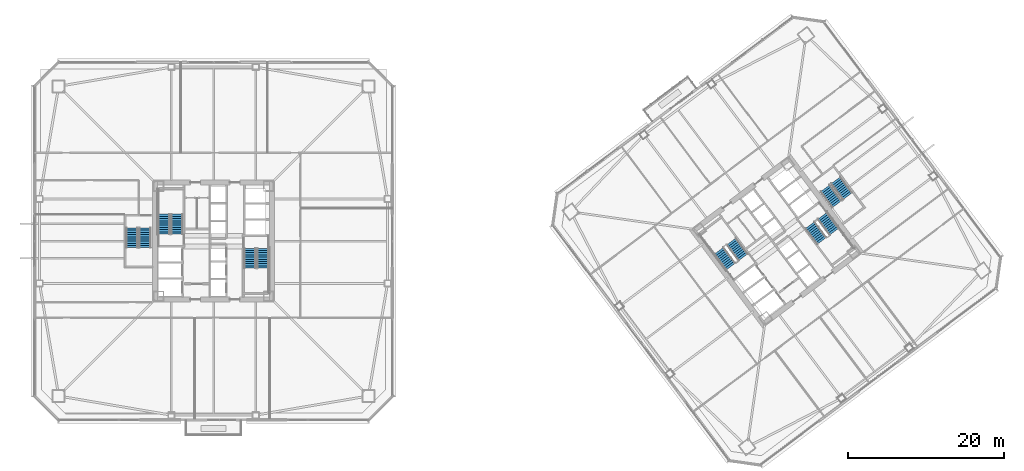
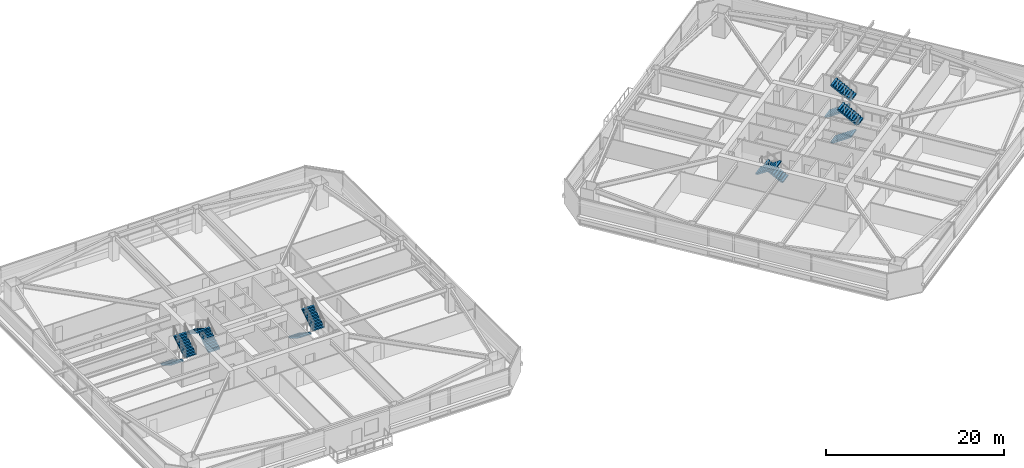
# One storey, part 38 of 46: 12 stair flights, 6 elements without a shape of their own.
"""IFC4 building model written with IfcOpenShell, lengths in metres."""

from ifc_helpers import new_model, si_unit, direction, frame, origin, place, context, subcontext, project, spatial, polyline, outline, extrude, material, type_object, element, aggregate, save


model = new_model("IFC4")

# Units and contexts
model_context = context("Model", 3, precision=1e-05, world=origin(), true_north=direction((0.0, 1.0)))
body_context = subcontext(model_context, "Body", "Model", "MODEL_VIEW")
ifc_project = project(units=[si_unit("LENGTHUNIT", "METRE"), si_unit("AREAUNIT", "SQUARE_METRE"), si_unit("VOLUMEUNIT", "CUBIC_METRE"), si_unit("PLANEANGLEUNIT", "RADIAN"), si_unit("MASSUNIT", "GRAM", prefix="KILO")], contexts=[model_context])

# Site, building, storey
site_placement = place(None, origin())
site = spatial("IfcSite", under=ifc_project, at=site_placement, CompositionType="ELEMENT")
building_placement = place(site_placement, origin())
building = spatial("IfcBuilding", under=site, at=building_placement, Name="Tashvorn Skyway Center", CompositionType="ELEMENT")
storey_placement = place(building_placement, frame((0.0, 0.0, 38.800048828125)))
storey = spatial("IfcBuildingStorey", under=building, at=storey_placement, Name="L09", CompositionType="ELEMENT", Elevation=38.800048828125)

# Stair, stair flights
ifc_material = material(Name="Concrete C40/50", Category="concrete")
stair_type = type_object("IfcStairType", Name="STAIR-CORE-1500", PredefinedType="HALF_TURN_STAIR", material=ifc_material)
stair_1_placement = place(storey_placement, origin())
stair_1 = element("IfcStair", 1, at=stair_1_placement, inside=storey, type_object=stair_type, Name="L09 Tower 1 Exit Stair 1", PredefinedType="HALF_TURN_STAIR")
stair_flight_type = type_object("IfcStairFlightType", Name="SFLIGHT-1500", PredefinedType="STRAIGHT", material=ifc_material)
stair_flight_1_placement = place(storey_placement, frame((37.35009765625, 32.919921875, 0.0), z_axis=(0.0, 0.0, 1.0), x_axis=(0.0, 1.0, 0.0)))
stair_flight_1 = element("IfcStairFlight", 2, at=stair_flight_1_placement, type_object=stair_flight_type, Name="ST-T1-1 flight 1", NumberOfRisers=10, NumberOfTreads=9, PredefinedType="STRAIGHT", RiserHeight=0.1775, TreadLength=0.28, context=body_context, shape_type="SweptSolid", body=[
    extrude(outline(polyline([(0.0, 0.0), (0.0, 0.177490234375), (0.280029296875, 0.177490234375), (0.280029296875, 0.35498046875), (0.56005859375, 0.35498046875), (0.56005859375, 0.532470703125), (0.840087890625, 0.532470703125), (0.840087890625, 0.7099609375), (1.1201171875, 0.7099609375), (1.1201171875, 0.887451171875), (1.39990234375, 0.887451171875), (1.39990234375, 1.06494140625), (1.679931640625, 1.06494140625), (1.679931640625, 1.242431640625), (1.9599609375, 1.242431640625), (1.9599609375, 1.419921875), (2.239990234375, 1.419921875), (2.239990234375, 1.597412109375), (2.52001953125, 1.597412109375), (2.52001953125, 1.77490234375), (2.52001953125, 1.419921875), (0.280029296875, 0.0), (0.0, 0.0)])), frame((0.0, 0.75, 0.0), z_axis=(0.0, -1.0, 0.0), x_axis=(1.0, 0.0, 0.0)), (0.0, 0.0, 1.0), 1.5),
])
stair_flight_2_placement = place(storey_placement, frame((35.64990234375, 35.43994140625, 1.77490234375), z_axis=(0.0, 0.0, 1.0), x_axis=(0.0, -1.0, 0.0)))
stair_flight_2 = element("IfcStairFlight", 3, at=stair_flight_2_placement, type_object=stair_flight_type, Name="ST-T1-1 flight 2", NumberOfRisers=10, NumberOfTreads=9, PredefinedType="STRAIGHT", RiserHeight=0.1775, TreadLength=0.28, context=body_context, shape_type="SweptSolid", body=[
    extrude(outline(polyline([(0.0, 0.0), (0.0, 0.177490234375), (0.280029296875, 0.177490234375), (0.280029296875, 0.35498046875), (0.56005859375, 0.35498046875), (0.56005859375, 0.532470703125), (0.840087890625, 0.532470703125), (0.840087890625, 0.7099609375), (1.1201171875, 0.7099609375), (1.1201171875, 0.887451171875), (1.39990234375, 0.887451171875), (1.39990234375, 1.06494140625), (1.679931640625, 1.06494140625), (1.679931640625, 1.242431640625), (1.9599609375, 1.242431640625), (1.9599609375, 1.419921875), (2.239990234375, 1.419921875), (2.239990234375, 1.597412109375), (2.52001953125, 1.597412109375), (2.52001953125, 1.77490234375), (2.52001953125, 1.419921875), (0.280029296875, 0.0), (0.0, 0.0)])), frame((0.0, 0.75, 0.0), z_axis=(0.0, -1.0, 0.0), x_axis=(1.0, 0.0, 0.0)), (0.0, 0.0, 1.0), 1.5),
])
aggregate(stair_1, [stair_flight_1, stair_flight_2])

stair_2_placement = place(storey_placement, origin())
stair_2 = element("IfcStair", 4, at=stair_2_placement, inside=storey, type_object=stair_type, Name="L09 Tower 1 Exit Stair 2", PredefinedType="HALF_TURN_STAIR")
stair_flight_3_placement = place(storey_placement, frame((46.64990234375, 31.080078125, 0.0), z_axis=(0.0, 0.0, 1.0), x_axis=(0.0, -1.0, 0.0)))
stair_flight_3 = element("IfcStairFlight", 5, at=stair_flight_3_placement, type_object=stair_flight_type, Name="ST-T1-2 flight 1", NumberOfRisers=10, NumberOfTreads=9, PredefinedType="STRAIGHT", RiserHeight=0.1775, TreadLength=0.28, context=body_context, shape_type="SweptSolid", body=[
    extrude(outline(polyline([(0.0, 0.0), (0.0, 0.177490234375), (0.280029296875, 0.177490234375), (0.280029296875, 0.35498046875), (0.56005859375, 0.35498046875), (0.56005859375, 0.532470703125), (0.840087890625, 0.532470703125), (0.840087890625, 0.7099609375), (1.1201171875, 0.7099609375), (1.1201171875, 0.887451171875), (1.39990234375, 0.887451171875), (1.39990234375, 1.06494140625), (1.679931640625, 1.06494140625), (1.679931640625, 1.242431640625), (1.9599609375, 1.242431640625), (1.9599609375, 1.419921875), (2.239990234375, 1.419921875), (2.239990234375, 1.597412109375), (2.52001953125, 1.597412109375), (2.52001953125, 1.77490234375), (2.52001953125, 1.419921875), (0.280029296875, 0.0), (0.0, 0.0)])), frame((0.0, 0.75, 0.0), z_axis=(0.0, -1.0, 0.0), x_axis=(1.0, 0.0, 0.0)), (0.0, 0.0, 1.0), 1.5),
])
stair_flight_4_placement = place(storey_placement, frame((48.35009765625, 28.56005859375, 1.77490234375), z_axis=(0.0, 0.0, 1.0), x_axis=(0.0, 1.0, 0.0)))
stair_flight_4 = element("IfcStairFlight", 6, at=stair_flight_4_placement, type_object=stair_flight_type, Name="ST-T1-2 flight 2", NumberOfRisers=10, NumberOfTreads=9, PredefinedType="STRAIGHT", RiserHeight=0.1775, TreadLength=0.28, context=body_context, shape_type="SweptSolid", body=[
    extrude(outline(polyline([(0.0, 0.0), (0.0, 0.177490234375), (0.280029296875, 0.177490234375), (0.280029296875, 0.35498046875), (0.56005859375, 0.35498046875), (0.56005859375, 0.532470703125), (0.840087890625, 0.532470703125), (0.840087890625, 0.7099609375), (1.1201171875, 0.7099609375), (1.1201171875, 0.887451171875), (1.39990234375, 0.887451171875), (1.39990234375, 1.06494140625), (1.679931640625, 1.06494140625), (1.679931640625, 1.242431640625), (1.9599609375, 1.242431640625), (1.9599609375, 1.419921875), (2.239990234375, 1.419921875), (2.239990234375, 1.597412109375), (2.52001953125, 1.597412109375), (2.52001953125, 1.77490234375), (2.52001953125, 1.419921875), (0.280029296875, 0.0), (0.0, 0.0)])), frame((0.0, 0.75, 0.0), z_axis=(0.0, -1.0, 0.0), x_axis=(1.0, 0.0, 0.0)), (0.0, 0.0, 1.0), 1.5),
])
aggregate(stair_2, [stair_flight_3, stair_flight_4])

stair_3_placement = place(storey_placement, origin())
stair_3 = element("IfcStair", 7, at=stair_3_placement, inside=storey, type_object=stair_type, Name="L09 Tower 2 Exit Stair 1", PredefinedType="HALF_TURN_STAIR")
stair_flight_5_placement = place(storey_placement, frame((109.72802734375, 29.946044921875, 0.0), z_axis=(0.0, 0.0, 1.0), x_axis=(-0.600000004945, 0.799999996291, 0.0)))
stair_flight_5 = element("IfcStairFlight", 8, at=stair_flight_5_placement, type_object=stair_flight_type, Name="ST-T2-1 flight 1", NumberOfRisers=10, NumberOfTreads=9, PredefinedType="STRAIGHT", RiserHeight=0.1775, TreadLength=0.28, context=body_context, shape_type="SweptSolid", body=[
    extrude(outline(polyline([(0.0, 0.0), (0.0, 0.177490234375), (0.280029296875, 0.177490234375), (0.280029296875, 0.35498046875), (0.56005859375, 0.35498046875), (0.56005859375, 0.532470703125), (0.840087890625, 0.532470703125), (0.840087890625, 0.7099609375), (1.1201171875, 0.7099609375), (1.1201171875, 0.887451171875), (1.39990234375, 0.887451171875), (1.39990234375, 1.06494140625), (1.679931640625, 1.06494140625), (1.679931640625, 1.242431640625), (1.9599609375, 1.242431640625), (1.9599609375, 1.419921875), (2.239990234375, 1.419921875), (2.239990234375, 1.597412109375), (2.52001953125, 1.597412109375), (2.52001953125, 1.77490234375), (2.52001953125, 1.419921875), (0.280029296875, 0.0), (0.0, 0.0)])), frame((0.0, 0.75, 0.0), z_axis=(0.0, -1.0, 0.0), x_axis=(1.0, 0.0, 0.0)), (0.0, 0.0, 1.0), 1.5),
])
stair_flight_6_placement = place(storey_placement, frame((106.632080078125, 30.77392578125, 1.77490234375), z_axis=(0.0, 0.0, 1.0), x_axis=(0.600000004945, -0.799999996291, 0.0)))
stair_flight_6 = element("IfcStairFlight", 9, at=stair_flight_6_placement, type_object=stair_flight_type, Name="ST-T2-1 flight 2", NumberOfRisers=10, NumberOfTreads=9, PredefinedType="STRAIGHT", RiserHeight=0.1775, TreadLength=0.28, context=body_context, shape_type="SweptSolid", body=[
    extrude(outline(polyline([(0.0, 0.0), (0.0, 0.177490234375), (0.280029296875, 0.177490234375), (0.280029296875, 0.35498046875), (0.56005859375, 0.35498046875), (0.56005859375, 0.532470703125), (0.840087890625, 0.532470703125), (0.840087890625, 0.7099609375), (1.1201171875, 0.7099609375), (1.1201171875, 0.887451171875), (1.39990234375, 0.887451171875), (1.39990234375, 1.06494140625), (1.679931640625, 1.06494140625), (1.679931640625, 1.242431640625), (1.9599609375, 1.242431640625), (1.9599609375, 1.419921875), (2.239990234375, 1.419921875), (2.239990234375, 1.597412109375), (2.52001953125, 1.597412109375), (2.52001953125, 1.77490234375), (2.52001953125, 1.419921875), (0.280029296875, 0.0), (0.0, 0.0)])), frame((0.0, 0.75, 0.0), z_axis=(0.0, -1.0, 0.0), x_axis=(1.0, 0.0, 0.0)), (0.0, 0.0, 1.0), 1.5),
])
aggregate(stair_3, [stair_flight_5, stair_flight_6])

stair_4_placement = place(storey_placement, origin())
stair_4 = element("IfcStair", 10, at=stair_4_placement, inside=storey, type_object=stair_type, Name="L09 Tower 2 Exit Stair 2", PredefinedType="HALF_TURN_STAIR")
stair_flight_7_placement = place(storey_placement, frame((118.27197265625, 34.053955078125, 0.0), z_axis=(0.0, 0.0, 1.0), x_axis=(0.600000004945, -0.799999996291, 0.0)))
stair_flight_7 = element("IfcStairFlight", 11, at=stair_flight_7_placement, type_object=stair_flight_type, Name="ST-T2-2 flight 1", NumberOfRisers=10, NumberOfTreads=9, PredefinedType="STRAIGHT", RiserHeight=0.1775, TreadLength=0.28, context=body_context, shape_type="SweptSolid", body=[
    extrude(outline(polyline([(0.0, 0.0), (0.0, 0.177490234375), (0.280029296875, 0.177490234375), (0.280029296875, 0.35498046875), (0.56005859375, 0.35498046875), (0.56005859375, 0.532470703125), (0.840087890625, 0.532470703125), (0.840087890625, 0.7099609375), (1.1201171875, 0.7099609375), (1.1201171875, 0.887451171875), (1.39990234375, 0.887451171875), (1.39990234375, 1.06494140625), (1.679931640625, 1.06494140625), (1.679931640625, 1.242431640625), (1.9599609375, 1.242431640625), (1.9599609375, 1.419921875), (2.239990234375, 1.419921875), (2.239990234375, 1.597412109375), (2.52001953125, 1.597412109375), (2.52001953125, 1.77490234375), (2.52001953125, 1.419921875), (0.280029296875, 0.0), (0.0, 0.0)])), frame((0.0, 0.75, 0.0), z_axis=(0.0, -1.0, 0.0), x_axis=(1.0, 0.0, 0.0)), (0.0, 0.0, 1.0), 1.5),
])
stair_flight_8_placement = place(storey_placement, frame((121.367919921875, 33.22607421875, 1.77490234375), z_axis=(0.0, 0.0, 1.0), x_axis=(-0.600000004945, 0.799999996291, 0.0)))
stair_flight_8 = element("IfcStairFlight", 12, at=stair_flight_8_placement, type_object=stair_flight_type, Name="ST-T2-2 flight 2", NumberOfRisers=10, NumberOfTreads=9, PredefinedType="STRAIGHT", RiserHeight=0.1775, TreadLength=0.28, context=body_context, shape_type="SweptSolid", body=[
    extrude(outline(polyline([(0.0, 0.0), (0.0, 0.177490234375), (0.280029296875, 0.177490234375), (0.280029296875, 0.35498046875), (0.56005859375, 0.35498046875), (0.56005859375, 0.532470703125), (0.840087890625, 0.532470703125), (0.840087890625, 0.7099609375), (1.1201171875, 0.7099609375), (1.1201171875, 0.887451171875), (1.39990234375, 0.887451171875), (1.39990234375, 1.06494140625), (1.679931640625, 1.06494140625), (1.679931640625, 1.242431640625), (1.9599609375, 1.242431640625), (1.9599609375, 1.419921875), (2.239990234375, 1.419921875), (2.239990234375, 1.597412109375), (2.52001953125, 1.597412109375), (2.52001953125, 1.77490234375), (2.52001953125, 1.419921875), (0.280029296875, 0.0), (0.0, 0.0)])), frame((0.0, 0.75, 0.0), z_axis=(0.0, -1.0, 0.0), x_axis=(1.0, 0.0, 0.0)), (0.0, 0.0, 1.0), 1.5),
])
aggregate(stair_4, [stair_flight_7, stair_flight_8])

stair_5_placement = place(storey_placement, origin())
stair_5 = element("IfcStair", 13, at=stair_5_placement, inside=storey, type_object=stair_type, Name="L09 Tower 1 Exit Stair 3", PredefinedType="HALF_TURN_STAIR")
stair_flight_9_placement = place(storey_placement, frame((31.550048828125, 33.679931640625, 0.0), z_axis=(0.0, 0.0, 1.0), x_axis=(0.0, -1.0, 0.0)))
stair_flight_9 = element("IfcStairFlight", 14, at=stair_flight_9_placement, type_object=stair_flight_type, Name="ST-T1-3 flight 1", NumberOfRisers=10, NumberOfTreads=9, PredefinedType="STRAIGHT", RiserHeight=0.1775, TreadLength=0.28, context=body_context, shape_type="SweptSolid", body=[
    extrude(outline(polyline([(0.0, 0.0), (0.0, 0.177490234375), (0.280029296875, 0.177490234375), (0.280029296875, 0.35498046875), (0.56005859375, 0.35498046875), (0.56005859375, 0.532470703125), (0.840087890625, 0.532470703125), (0.840087890625, 0.7099609375), (1.1201171875, 0.7099609375), (1.1201171875, 0.887451171875), (1.39990234375, 0.887451171875), (1.39990234375, 1.06494140625), (1.679931640625, 1.06494140625), (1.679931640625, 1.242431640625), (1.9599609375, 1.242431640625), (1.9599609375, 1.419921875), (2.239990234375, 1.419921875), (2.239990234375, 1.597412109375), (2.52001953125, 1.597412109375), (2.52001953125, 1.77490234375), (2.52001953125, 1.419921875), (0.280029296875, 0.0), (0.0, 0.0)])), frame((0.0, 0.75, 0.0), z_axis=(0.0, -1.0, 0.0), x_axis=(1.0, 0.0, 0.0)), (0.0, 0.0, 1.0), 1.5),
])
stair_flight_10_placement = place(storey_placement, frame((33.25, 31.159912109375, 1.77490234375), z_axis=(0.0, 0.0, 1.0), x_axis=(0.0, 1.0, 0.0)))
stair_flight_10 = element("IfcStairFlight", 15, at=stair_flight_10_placement, type_object=stair_flight_type, Name="ST-T1-3 flight 2", NumberOfRisers=10, NumberOfTreads=9, PredefinedType="STRAIGHT", RiserHeight=0.1775, TreadLength=0.28, context=body_context, shape_type="SweptSolid", body=[
    extrude(outline(polyline([(0.0, 0.0), (0.0, 0.177490234375), (0.280029296875, 0.177490234375), (0.280029296875, 0.35498046875), (0.56005859375, 0.35498046875), (0.56005859375, 0.532470703125), (0.840087890625, 0.532470703125), (0.840087890625, 0.7099609375), (1.1201171875, 0.7099609375), (1.1201171875, 0.887451171875), (1.39990234375, 0.887451171875), (1.39990234375, 1.06494140625), (1.679931640625, 1.06494140625), (1.679931640625, 1.242431640625), (1.9599609375, 1.242431640625), (1.9599609375, 1.419921875), (2.239990234375, 1.419921875), (2.239990234375, 1.597412109375), (2.52001953125, 1.597412109375), (2.52001953125, 1.77490234375), (2.52001953125, 1.419921875), (0.280029296875, 0.0), (0.0, 0.0)])), frame((0.0, 0.75, 0.0), z_axis=(0.0, -1.0, 0.0), x_axis=(1.0, 0.0, 0.0)), (0.0, 0.0, 1.0), 1.5),
])
aggregate(stair_5, [stair_flight_9, stair_flight_10])

stair_6_placement = place(storey_placement, origin())
stair_6 = element("IfcStair", 16, at=stair_6_placement, inside=storey, type_object=stair_type, Name="L09 Tower 2 Exit Stair 3", PredefinedType="HALF_TURN_STAIR")
stair_flight_11_placement = place(storey_placement, frame((120.216064453125, 38.761962890625, 0.0), z_axis=(0.0, 0.0, 1.0), x_axis=(0.600000004945, -0.799999996291, 0.0)))
stair_flight_11 = element("IfcStairFlight", 17, at=stair_flight_11_placement, type_object=stair_flight_type, Name="ST-T2-3 flight 1", NumberOfRisers=10, NumberOfTreads=9, PredefinedType="STRAIGHT", RiserHeight=0.1775, TreadLength=0.28, context=body_context, shape_type="SweptSolid", body=[
    extrude(outline(polyline([(0.0, 0.0), (0.0, 0.177490234375), (0.280029296875, 0.177490234375), (0.280029296875, 0.35498046875), (0.56005859375, 0.35498046875), (0.56005859375, 0.532470703125), (0.840087890625, 0.532470703125), (0.840087890625, 0.7099609375), (1.1201171875, 0.7099609375), (1.1201171875, 0.887451171875), (1.39990234375, 0.887451171875), (1.39990234375, 1.06494140625), (1.679931640625, 1.06494140625), (1.679931640625, 1.242431640625), (1.9599609375, 1.242431640625), (1.9599609375, 1.419921875), (2.239990234375, 1.419921875), (2.239990234375, 1.597412109375), (2.52001953125, 1.597412109375), (2.52001953125, 1.77490234375), (2.52001953125, 1.419921875), (0.280029296875, 0.0), (0.0, 0.0)])), frame((0.0, 0.75, 0.0), z_axis=(0.0, -1.0, 0.0), x_axis=(1.0, 0.0, 0.0)), (0.0, 0.0, 1.0), 1.5),
])
stair_flight_12_placement = place(storey_placement, frame((123.087890625, 37.76611328125, 1.77490234375), z_axis=(0.0, 0.0, 1.0), x_axis=(-0.600000004945, 0.799999996291, 0.0)))
stair_flight_12 = element("IfcStairFlight", 18, at=stair_flight_12_placement, type_object=stair_flight_type, Name="ST-T2-3 flight 2", NumberOfRisers=10, NumberOfTreads=9, PredefinedType="STRAIGHT", RiserHeight=0.1775, TreadLength=0.28, context=body_context, shape_type="SweptSolid", body=[
    extrude(outline(polyline([(0.0, 0.0), (0.0, 0.177490234375), (0.280029296875, 0.177490234375), (0.280029296875, 0.35498046875), (0.56005859375, 0.35498046875), (0.56005859375, 0.532470703125), (0.840087890625, 0.532470703125), (0.840087890625, 0.7099609375), (1.1201171875, 0.7099609375), (1.1201171875, 0.887451171875), (1.39990234375, 0.887451171875), (1.39990234375, 1.06494140625), (1.679931640625, 1.06494140625), (1.679931640625, 1.242431640625), (1.9599609375, 1.242431640625), (1.9599609375, 1.419921875), (2.239990234375, 1.419921875), (2.239990234375, 1.597412109375), (2.52001953125, 1.597412109375), (2.52001953125, 1.77490234375), (2.52001953125, 1.419921875), (0.280029296875, 0.0), (0.0, 0.0)])), frame((0.0, 0.75, 0.0), z_axis=(0.0, -1.0, 0.0), x_axis=(1.0, 0.0, 0.0)), (0.0, 0.0, 1.0), 1.5),
])
aggregate(stair_6, [stair_flight_11, stair_flight_12])

save(model, "model.ifc")
